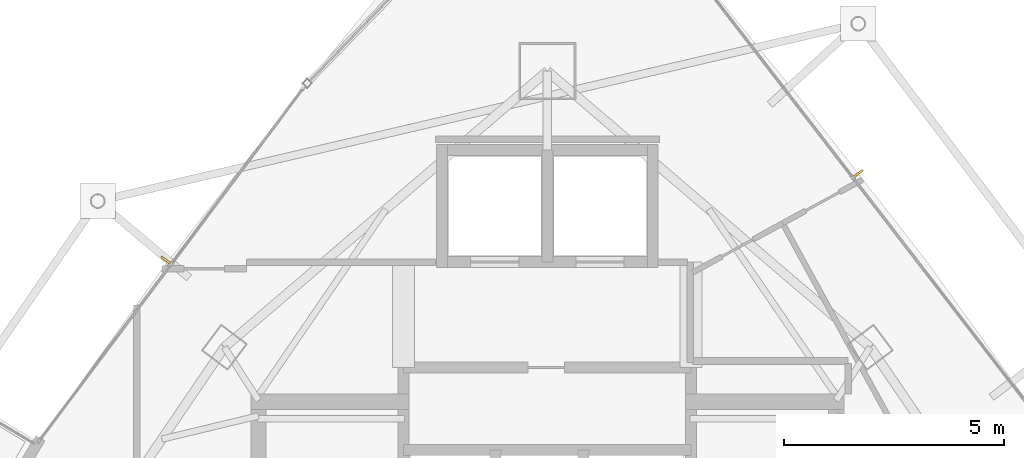
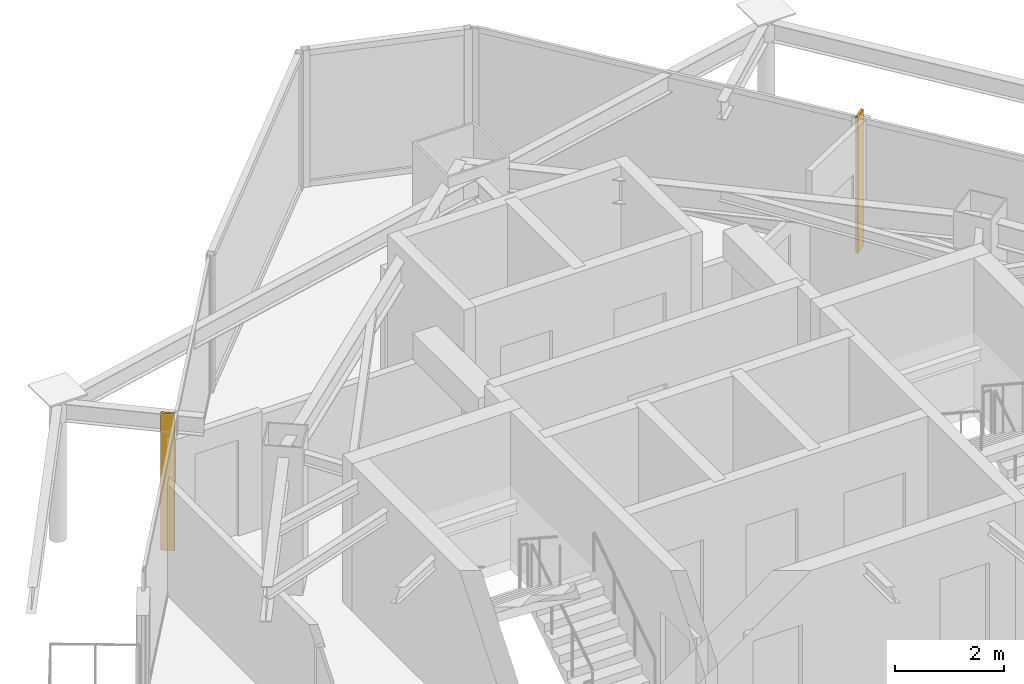
# One storey, part 32 of 32: 2 shading devices.
"""IFC4 building model written with IfcOpenShell, lengths in metres."""

from ifc_helpers import new_model, si_unit, direction, frame, origin, origin_2d, place, context, subcontext, project, spatial, rectangle, extrude, material, layer, layer_set, type_object, element, save


model = new_model("IFC4")

# Units and contexts
model_context = context("Model", 3, precision=1e-05, world=origin(), true_north=direction((0.0, 1.0)))
body_context = subcontext(model_context, "Body", "Model", "MODEL_VIEW")
ifc_project = project(units=[si_unit("LENGTHUNIT", "METRE"), si_unit("AREAUNIT", "SQUARE_METRE"), si_unit("VOLUMEUNIT", "CUBIC_METRE"), si_unit("PLANEANGLEUNIT", "RADIAN"), si_unit("MASSUNIT", "GRAM", prefix="KILO")], contexts=[model_context])

# Site, building, storey
site_placement = place(None, origin())
site = spatial("IfcSite", under=ifc_project, at=site_placement, CompositionType="ELEMENT")
building_placement = place(site_placement, origin())
building = spatial("IfcBuilding", under=site, at=building_placement, Name="Orvanel Arch Residences", CompositionType="ELEMENT")
storey_placement = place(building_placement, frame((0.0, 0.0, 222.800048828125)))
storey = spatial("IfcBuildingStorey", under=building, at=storey_placement, Name="L63", CompositionType="ELEMENT", Elevation=222.800048828125)

# Shading devices
ifc_material = material(Name="Bronze-anodised aluminium AA6063-T6", Category="aluminium")
ifc_layer = layer(ifc_material, 0.050048828125)
ifc_layer_set = layer_set([ifc_layer], Name="Bronze-anodised aluminium AA6063-T6")
shading_device_type = type_object("IfcShadingDeviceType", Name="FIN-BRZ-260", PredefinedType="USERDEFINED", material=ifc_layer_set)
for number, where, z_axis, x_axis, name in (
    (1, (24.31396484375, 37.096923828125, 0.0), (0.0, 0.0, 1.0), (-0.800731370949, 0.599023598516, 0.0), "L63 Anodised Bronze Mullion FIN 01"),
    (2, (40.077880859375, 39.06591796875, 0.0), (0.0, 0.0, 1.0), (0.792289643355, 0.610145163901, 0.0), "L63 Anodised Bronze Mullion FIN 01"),
):
    element("IfcShadingDevice", number, at=place(storey_placement, frame(where, z_axis=z_axis, x_axis=x_axis)), inside=storey, type_object=shading_device_type, Name=name, ObjectType="FIN", PredefinedType="USERDEFINED", context=body_context, shape_type="SweptSolid", body=[
        extrude(rectangle(XDim=0.260009765625, YDim=0.050048828125, at=origin_2d()), origin(), (0.0, 0.0, 1.0), 3.06005859375),
    ])

save(model, "model.ifc")
